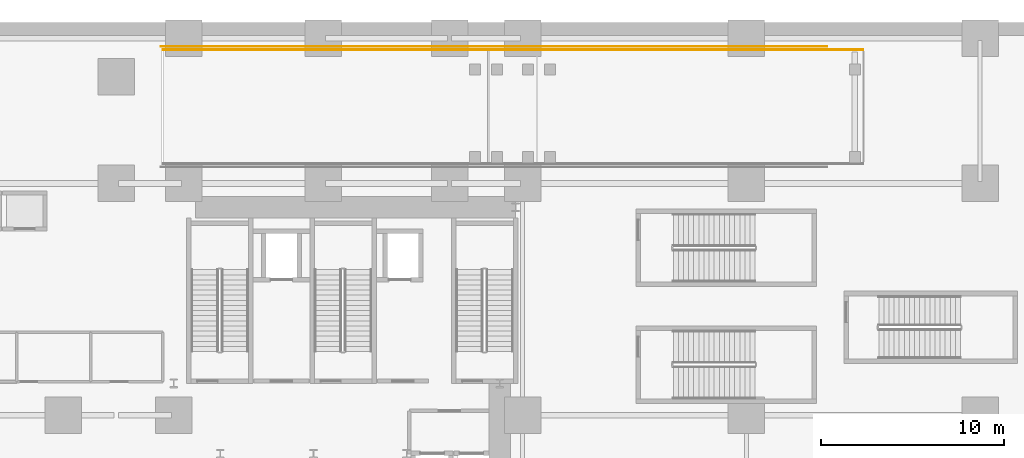
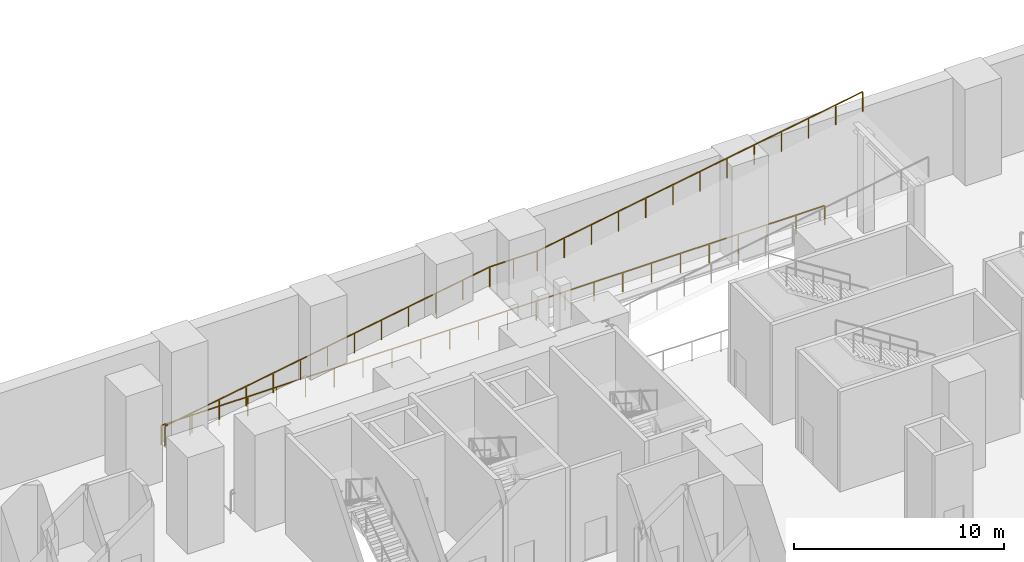
# One storey, part 14 of 16: 2 railings.
"""IFC4 building model written with IfcOpenShell, lengths in metres."""

from ifc_helpers import new_model, si_unit, direction, frame, origin, origin_2d, place, context, subcontext, project, spatial, rectangle, extrude, source, transform, mapped, material, type_object, element, save


model = new_model("IFC4")

# Units and contexts
model_context = context("Model", 3, precision=1e-05, world=origin(), true_north=direction((0.0, 1.0)))
body_context = subcontext(model_context, "Body", "Model", "MODEL_VIEW")
ifc_project = project(units=[si_unit("LENGTHUNIT", "METRE"), si_unit("AREAUNIT", "SQUARE_METRE"), si_unit("VOLUMEUNIT", "CUBIC_METRE"), si_unit("PLANEANGLEUNIT", "RADIAN"), si_unit("MASSUNIT", "GRAM", prefix="KILO")], contexts=[model_context])

# Site, building, storey
site_placement = place(None, origin())
site = spatial("IfcSite", under=ifc_project, at=site_placement, CompositionType="ELEMENT")
building_placement = place(site_placement, origin())
building = spatial("IfcBuilding", under=site, at=building_placement, Name="Vardaveli Station Tower", CompositionType="ELEMENT")
storey_placement = place(building_placement, frame((0.0, 0.0, -6.0)))
storey = spatial("IfcBuildingStorey", under=building, at=storey_placement, Name="B01", CompositionType="ELEMENT", Elevation=-6.0)

# Railings
ifc_material = material(Name="Brushed AISI 316 stainless steel", Category="steel")
railing_type = type_object("IfcRailingType", Name="RL-GUARD-1150", PredefinedType="GUARDRAIL", material=ifc_material)
shared_shape_1 = source(origin(), body_context, "Body", "SweptSolid", [
    extrude(rectangle(XDim=0.048095703125, YDim=0.048095703125, at=origin_2d()), frame((0.0, 0.0, 1.15576171875), z_axis=(-0.986229379368, 0.0, -0.165383225482), x_axis=(0.0, -1.0, 0.0)), (0.0, 0.0, 1.0), 18.1396484375),
    extrude(rectangle(XDim=0.048095703125, YDim=0.048095703125, at=origin_2d()), frame((-17.889892578125, 0.0, -1.84423828125), z_axis=(-1.0, 0.0, 0.0), x_axis=(0.0, -1.0, 0.0)), (0.0, 0.0, 1.0), 2.60009765625),
    extrude(rectangle(XDim=0.048095703125, YDim=0.048095703125, at=origin_2d()), frame((-20.489990234375, 0.0, -1.84423828125), z_axis=(-0.986153604981, 0.0, -0.165834457768), x_axis=(0.0, -1.0, 0.0)), (0.0, 0.0, 1.0), 18.09033203125),
    extrude(rectangle(XDim=0.0419921875, YDim=0.0419921875, at=origin_2d()), origin(), (0.0, 0.0, 1.0), 1.1318359375),
    extrude(rectangle(XDim=0.0419921875, YDim=0.0419921875, at=origin_2d()), frame((-1.49072265625, 0.0, -0.25)), (0.0, 0.0, 1.0), 1.1318359375),
    extrude(rectangle(XDim=0.0419921875, YDim=0.0419921875, at=origin_2d()), frame((-2.981689453125, 0.0, -0.5)), (0.0, 0.0, 1.0), 1.1318359375),
    extrude(rectangle(XDim=0.0419921875, YDim=0.0419921875, at=origin_2d()), frame((-4.472412109375, 0.0, -0.75)), (0.0, 0.0, 1.0), 1.1318359375),
    extrude(rectangle(XDim=0.0419921875, YDim=0.0419921875, at=origin_2d()), frame((-5.96337890625, 0.0, -1.0)), (0.0, 0.0, 1.0), 1.1318359375),
    extrude(rectangle(XDim=0.0419921875, YDim=0.0419921875, at=origin_2d()), frame((-7.4541015625, 0.0, -1.25)), (0.0, 0.0, 1.0), 1.1318359375),
    extrude(rectangle(XDim=0.0419921875, YDim=0.0419921875, at=origin_2d()), frame((-8.94482421875, 0.0, -1.5)), (0.0, 0.0, 1.0), 1.1318359375),
    extrude(rectangle(XDim=0.0419921875, YDim=0.0419921875, at=origin_2d()), frame((-10.435791015625, 0.0, -1.75)), (0.0, 0.0, 1.0), 1.1318359375),
    extrude(rectangle(XDim=0.0419921875, YDim=0.0419921875, at=origin_2d()), frame((-11.926513671875, 0.0, -2.0)), (0.0, 0.0, 1.0), 1.1318359375),
    extrude(rectangle(XDim=0.0419921875, YDim=0.0419921875, at=origin_2d()), frame((-13.41748046875, 0.0, -2.25)), (0.0, 0.0, 1.0), 1.1318359375),
    extrude(rectangle(XDim=0.0419921875, YDim=0.0419921875, at=origin_2d()), frame((-14.908203125, 0.0, -2.5)), (0.0, 0.0, 1.0), 1.1318359375),
    extrude(rectangle(XDim=0.0419921875, YDim=0.0419921875, at=origin_2d()), frame((-16.399169921875, 0.0, -2.75)), (0.0, 0.0, 1.0), 1.1318359375),
    extrude(rectangle(XDim=0.0419921875, YDim=0.0419921875, at=origin_2d()), frame((-17.889892578125, 0.0, -3.0)), (0.0, 0.0, 1.0), 1.1318359375),
    extrude(rectangle(XDim=0.0419921875, YDim=0.0419921875, at=origin_2d()), frame((-19.18994140625, 0.0, -3.0)), (0.0, 0.0, 1.0), 1.1318359375),
    extrude(rectangle(XDim=0.0419921875, YDim=0.0419921875, at=origin_2d()), frame((-20.489990234375, 0.0, -3.0)), (0.0, 0.0, 1.0), 1.1318359375),
    extrude(rectangle(XDim=0.0419921875, YDim=0.0419921875, at=origin_2d()), frame((-21.9765625, 0.0, -3.25)), (0.0, 0.0, 1.0), 1.1318359375),
    extrude(rectangle(XDim=0.0419921875, YDim=0.0419921875, at=origin_2d()), frame((-23.46337890625, 0.0, -3.5)), (0.0, 0.0, 1.0), 1.1318359375),
    extrude(rectangle(XDim=0.0419921875, YDim=0.0419921875, at=origin_2d()), frame((-24.949951171875, 0.0, -3.75)), (0.0, 0.0, 1.0), 1.1318359375),
    extrude(rectangle(XDim=0.0419921875, YDim=0.0419921875, at=origin_2d()), frame((-26.4365234375, 0.0, -4.0)), (0.0, 0.0, 1.0), 1.1318359375),
    extrude(rectangle(XDim=0.0419921875, YDim=0.0419921875, at=origin_2d()), frame((-27.92333984375, 0.0, -4.25)), (0.0, 0.0, 1.0), 1.1318359375),
    extrude(rectangle(XDim=0.0419921875, YDim=0.0419921875, at=origin_2d()), frame((-29.409912109375, 0.0, -4.5)), (0.0, 0.0, 1.0), 1.1318359375),
    extrude(rectangle(XDim=0.0419921875, YDim=0.0419921875, at=origin_2d()), frame((-30.896484375, 0.0, -4.75)), (0.0, 0.0, 1.0), 1.1318359375),
    extrude(rectangle(XDim=0.0419921875, YDim=0.0419921875, at=origin_2d()), frame((-32.38330078125, 0.0, -5.0)), (0.0, 0.0, 1.0), 1.1318359375),
    extrude(rectangle(XDim=0.0419921875, YDim=0.0419921875, at=origin_2d()), frame((-33.869873046875, 0.0, -5.25)), (0.0, 0.0, 1.0), 1.1318359375),
    extrude(rectangle(XDim=0.0419921875, YDim=0.0419921875, at=origin_2d()), frame((-35.3564453125, 0.0, -5.5)), (0.0, 0.0, 1.0), 1.1318359375),
    extrude(rectangle(XDim=0.0419921875, YDim=0.0419921875, at=origin_2d()), frame((-36.84326171875, 0.0, -5.75)), (0.0, 0.0, 1.0), 1.1318359375),
    extrude(rectangle(XDim=0.0419921875, YDim=0.0419921875, at=origin_2d()), frame((-38.329833984375, 0.0, -6.0)), (0.0, 0.0, 1.0), 1.1318359375),
])
railing_1_placement = place(storey_placement, frame((66.389892578125, 48.919921875, 6.0)))
element("IfcRailing", 1, at=railing_1_placement, inside=storey, type_object=railing_type, Name="RL-RMP-VEH-01-N", PredefinedType="GUARDRAIL", context=body_context, shape_type="MappedRepresentation", body=[
    mapped(shared_shape_1, transform((0.0, 0.0, 0.0), scale=1.0)),
])
shared_shape_2 = source(origin(), body_context, "Body", "SweptSolid", [
    extrude(rectangle(XDim=0.048095703125, YDim=0.048095703125, at=origin_2d()), frame((0.0, 0.0, 1.1259765625), z_axis=(1.0, 0.0, 0.0), x_axis=(0.0, 1.0, 0.0)), (0.0, 0.0, 1.0), 36.449951171875),
    extrude(rectangle(XDim=0.0419921875, YDim=0.0419921875, at=origin_2d()), origin(), (0.0, 0.0, 1.0), 1.101806640625),
    extrude(rectangle(XDim=0.0419921875, YDim=0.0419921875, at=origin_2d()), frame((1.584716796875, 0.0, 0.0)), (0.0, 0.0, 1.0), 1.101806640625),
    extrude(rectangle(XDim=0.0419921875, YDim=0.0419921875, at=origin_2d()), frame((3.169677734375, 0.0, 0.0)), (0.0, 0.0, 1.0), 1.101806640625),
    extrude(rectangle(XDim=0.0419921875, YDim=0.0419921875, at=origin_2d()), frame((4.75439453125, 0.0, 0.0)), (0.0, 0.0, 1.0), 1.101806640625),
    extrude(rectangle(XDim=0.0419921875, YDim=0.0419921875, at=origin_2d()), frame((6.339111328125, 0.0, 0.0)), (0.0, 0.0, 1.0), 1.101806640625),
    extrude(rectangle(XDim=0.0419921875, YDim=0.0419921875, at=origin_2d()), frame((7.923828125, 0.0, 0.0)), (0.0, 0.0, 1.0), 1.101806640625),
    extrude(rectangle(XDim=0.0419921875, YDim=0.0419921875, at=origin_2d()), frame((9.5087890625, 0.0, 0.0)), (0.0, 0.0, 1.0), 1.101806640625),
    extrude(rectangle(XDim=0.0419921875, YDim=0.0419921875, at=origin_2d()), frame((11.093505859375, 0.0, 0.0)), (0.0, 0.0, 1.0), 1.101806640625),
    extrude(rectangle(XDim=0.0419921875, YDim=0.0419921875, at=origin_2d()), frame((12.67822265625, 0.0, 0.0)), (0.0, 0.0, 1.0), 1.101806640625),
    extrude(rectangle(XDim=0.0419921875, YDim=0.0419921875, at=origin_2d()), frame((14.262939453125, 0.0, 0.0)), (0.0, 0.0, 1.0), 1.101806640625),
    extrude(rectangle(XDim=0.0419921875, YDim=0.0419921875, at=origin_2d()), frame((15.847900390625, 0.0, 0.0)), (0.0, 0.0, 1.0), 1.101806640625),
    extrude(rectangle(XDim=0.0419921875, YDim=0.0419921875, at=origin_2d()), frame((17.4326171875, 0.0, 0.0)), (0.0, 0.0, 1.0), 1.101806640625),
    extrude(rectangle(XDim=0.0419921875, YDim=0.0419921875, at=origin_2d()), frame((19.017333984375, 0.0, 0.0)), (0.0, 0.0, 1.0), 1.101806640625),
    extrude(rectangle(XDim=0.0419921875, YDim=0.0419921875, at=origin_2d()), frame((20.60205078125, 0.0, 0.0)), (0.0, 0.0, 1.0), 1.101806640625),
    extrude(rectangle(XDim=0.0419921875, YDim=0.0419921875, at=origin_2d()), frame((22.18701171875, 0.0, 0.0)), (0.0, 0.0, 1.0), 1.101806640625),
    extrude(rectangle(XDim=0.0419921875, YDim=0.0419921875, at=origin_2d()), frame((23.771728515625, 0.0, 0.0)), (0.0, 0.0, 1.0), 1.101806640625),
    extrude(rectangle(XDim=0.0419921875, YDim=0.0419921875, at=origin_2d()), frame((25.3564453125, 0.0, 0.0)), (0.0, 0.0, 1.0), 1.101806640625),
    extrude(rectangle(XDim=0.0419921875, YDim=0.0419921875, at=origin_2d()), frame((26.941162109375, 0.0, 0.0)), (0.0, 0.0, 1.0), 1.101806640625),
    extrude(rectangle(XDim=0.0419921875, YDim=0.0419921875, at=origin_2d()), frame((28.526123046875, 0.0, 0.0)), (0.0, 0.0, 1.0), 1.101806640625),
    extrude(rectangle(XDim=0.0419921875, YDim=0.0419921875, at=origin_2d()), frame((30.11083984375, 0.0, 0.0)), (0.0, 0.0, 1.0), 1.101806640625),
    extrude(rectangle(XDim=0.0419921875, YDim=0.0419921875, at=origin_2d()), frame((31.695556640625, 0.0, 0.0)), (0.0, 0.0, 1.0), 1.101806640625),
    extrude(rectangle(XDim=0.0419921875, YDim=0.0419921875, at=origin_2d()), frame((33.2802734375, 0.0, 0.0)), (0.0, 0.0, 1.0), 1.101806640625),
    extrude(rectangle(XDim=0.0419921875, YDim=0.0419921875, at=origin_2d()), frame((34.865234375, 0.0, 0.0)), (0.0, 0.0, 1.0), 1.101806640625),
    extrude(rectangle(XDim=0.0419921875, YDim=0.0419921875, at=origin_2d()), frame((36.449951171875, 0.0, 0.0)), (0.0, 0.0, 1.0), 1.101806640625),
])
railing_2_placement = place(storey_placement, frame((27.949951171875, 49.10009765625, 0.0)))
element("IfcRailing", 2, at=railing_2_placement, inside=storey, type_object=railing_type, Name="RL-B01-VR02N", PredefinedType="GUARDRAIL", context=body_context, shape_type="MappedRepresentation", body=[
    mapped(shared_shape_2, transform((0.0, 0.0, 0.0), scale=1.0)),
])

save(model, "model.ifc")
